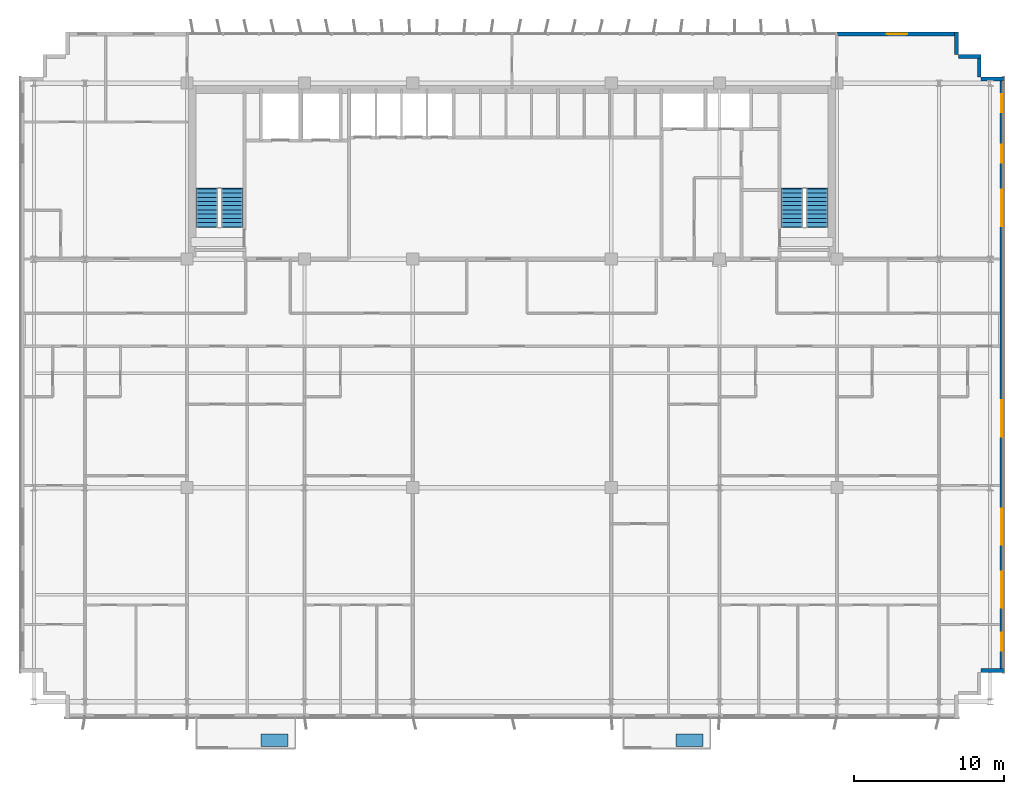
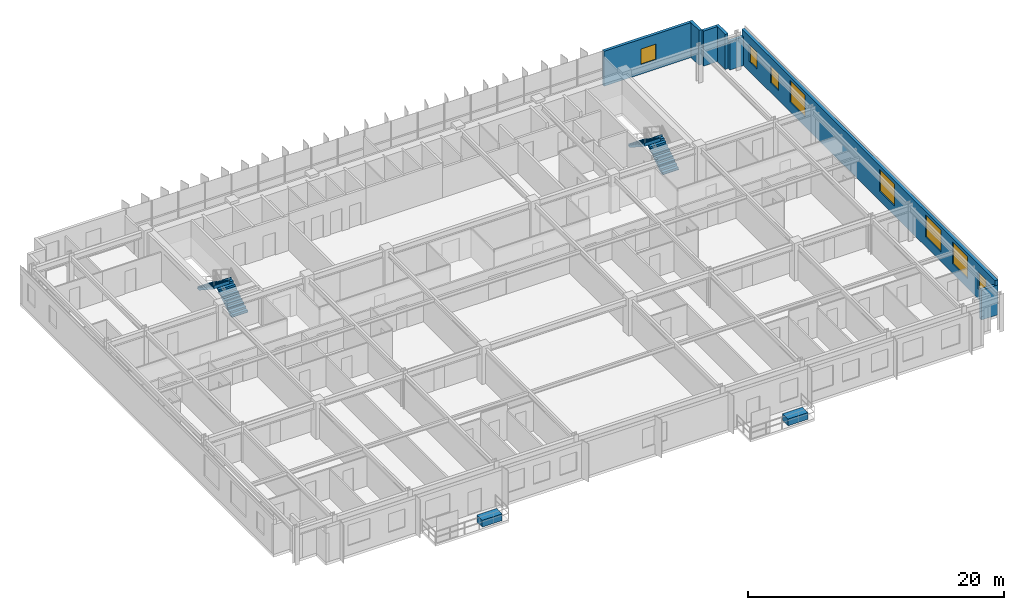
# One storey, part 19 of 22: 8 windows, 7 walls, 4 stair flights, 2 discrete accessories, 8 openings, 2 elements without a shape of their own.
"""IFC4 building model written with IfcOpenShell, lengths in metres."""

from ifc_helpers import new_model, si_unit, direction, frame, frame_2d, origin, origin_2d, place, context, subcontext, project, spatial, polyline, rectangle, outline, extrude, source, transform, mapped, material, layer, layer_set, type_object, element, fill, aggregate, save


model = new_model("IFC4")

# Units and contexts
model_context = context("Model", 3, precision=1e-05, world=origin(), true_north=direction((0.0, 1.0)))
body_context = subcontext(model_context, "Body", "Model", "MODEL_VIEW")
ifc_project = project(units=[si_unit("LENGTHUNIT", "METRE"), si_unit("AREAUNIT", "SQUARE_METRE"), si_unit("VOLUMEUNIT", "CUBIC_METRE"), si_unit("PLANEANGLEUNIT", "RADIAN"), si_unit("MASSUNIT", "GRAM", prefix="KILO")], contexts=[model_context])

# Site, building, storey
site_placement = place(None, origin())
site = spatial("IfcSite", under=ifc_project, at=site_placement, CompositionType="ELEMENT")
building_placement = place(site_placement, origin())
building = spatial("IfcBuilding", under=site, at=building_placement, Name="Trelvane Seafront Commons", CompositionType="ELEMENT")
storey_placement = place(building_placement, frame((0.0, 0.0, 92.5)))
storey = spatial("IfcBuildingStorey", under=building, at=storey_placement, Name="L23", CompositionType="ELEMENT", Elevation=92.5)

# Wall, opening, window
ifc_material_1 = material(Name="Precast concrete C40/50", Category="concrete")
ifc_layer = layer(ifc_material_1, 0.260009765625, Name="ARCH-WALL-EXT260")
ifc_layer_set = layer_set([ifc_layer], Name="Precast concrete C40/50")
wall_type = type_object("IfcWallType", Name="ARCH-WALL-EXT260", PredefinedType="SOLIDWALL", material=ifc_layer_set)
wall_1_placement = place(storey_placement, frame((58.800048828125, 48.3701171875, 0.0), z_axis=(0.0, 0.0, 1.0), x_axis=(1.0, 0.0, 0.0)))
wall_1 = element("IfcWall", 1, at=wall_1_placement, inside=storey, type_object=wall_type, Name="EW-L23-NE-0413", PredefinedType="SOLIDWALL", context=body_context, shape_type="SweptSolid", body=[
    extrude(rectangle(XDim=8.0, YDim=0.260009765625, at=frame_2d((4.0, 0.0))), origin(), (0.0, 0.0, 1.0), 3.340087890625),
])
opening_1_placement = place(wall_1_placement, frame((3.324951171875, 0.0, 0.89990234375)))
opening_1 = element("IfcOpeningElement", 2, at=opening_1_placement, cuts=wall_1, Name="Opening W09", PredefinedType="OPENING", context=body_context, shape_type="SweptSolid", body=[
    extrude(rectangle(XDim=1.35009765625, YDim=1.5, at=frame_2d((0.675048828125, 0.75))), frame((0.0, 0.139892578125, 0.0), z_axis=(0.0, -1.0, 0.0), x_axis=(1.0, 0.0, 0.0)), (0.0, 0.0, 1.0), 0.280029296875),
])
ifc_material_2 = material(Name="Low-E coastal double glazing", Category="glass")
window_type_1 = type_object("IfcWindowType", Name="ARCH-WIN-W09", PartitioningType="SINGLE_PANEL", PredefinedType="WINDOW", material=ifc_material_2)
shared_shape_1 = source(origin(), body_context, "Body", "SweptSolid", [
    extrude(rectangle(XDim=1.35009765625, YDim=1.5, at=frame_2d((0.675048828125, 0.75))), frame((0.0, 0.030029296875, 0.0), z_axis=(0.0, -1.0, 0.0), x_axis=(1.0, 0.0, 0.0)), (0.0, 0.0, 1.0), 0.06005859375),
])
window_1_placement = place(opening_1_placement, origin())
window_1 = element("IfcWindow", 3, at=window_1_placement, inside=storey, type_object=window_type_1, Name="WIN-L23-00478", OverallHeight=1.5, OverallWidth=1.35009765625, PartitioningType="SINGLE_PANEL", PredefinedType="WINDOW", context=body_context, shape_type="MappedRepresentation", body=[
    mapped(shared_shape_1, transform((0.0, 0.0, 0.0), x_axis=(1.0, 0.0, 0.0), y_axis=(0.0, 1.0, 0.0), z_axis=(0.0, 0.0, 1.0), scale=1.0)),
])
fill(opening_1, window_1)

# Walls
for number, where, z_axis, x_axis, name in (
    (4, (66.77001953125, 48.5, 0.0), (0.0, 0.0, 1.0), (0.0, -1.0, 0.0), "EW-L23-00422"),
    (5, (66.89990234375, 46.8701171875, 0.0), (0.0, 0.0, 1.0), (1.0, 0.0, 0.0), "EW-L23-00423"),
    (6, (68.27001953125, 47.0, 0.0), (0.0, 0.0, 1.0), (0.0, -1.0, 0.0), "EW-L23-00424"),
):
    element("IfcWall", number, at=place(storey_placement, frame(where, z_axis=z_axis, x_axis=x_axis)), inside=storey, type_object=wall_type, Name=name, PredefinedType="SOLIDWALL", context=body_context, shape_type="SweptSolid", body=[
        extrude(rectangle(XDim=1.5, YDim=0.260009765625, at=frame_2d((0.75, 0.0))), origin(), (0.0, 0.0, 1.0), 3.340087890625),
    ])
wall_2_placement = place(storey_placement, frame((68.39990234375, 45.3701171875, 0.0), z_axis=(0.0, 0.0, 1.0), x_axis=(1.0, 0.0, 0.0)))
element("IfcWall", 7, at=wall_2_placement, inside=storey, type_object=wall_type, Name="EW-L23-00425", PredefinedType="SOLIDWALL", context=body_context, shape_type="SweptSolid", body=[
    extrude(rectangle(XDim=1.5, YDim=0.260009765625, at=frame_2d((0.75, 0.0))), origin(), (0.0, 0.0, 1.0), 2.751953125),
])

# Wall, openings, windows
wall_3_placement = place(storey_placement, frame((69.77001953125, 45.5, 0.0), z_axis=(0.0, 0.0, 1.0), x_axis=(0.0, -1.0, 0.0)))
wall_3 = element("IfcWall", 8, at=wall_3_placement, inside=storey, type_object=wall_type, Name="EW-L23-00426", PredefinedType="SOLIDWALL", context=body_context, shape_type="SweptSolid", body=[
    extrude(rectangle(XDim=39.60009765625, YDim=0.260009765625, at=frame_2d((19.800048828125, 0.0))), origin(), (0.0, 0.0, 1.0), 3.340087890625),
])
opening_2_placement = place(wall_3_placement, frame((36.949951171875, 0.0, 0.919921875)))
opening_2 = element("IfcOpeningElement", 9, at=opening_2_placement, cuts=wall_3, Name="Opening W05", PredefinedType="OPENING", context=body_context, shape_type="SweptSolid", body=[
    extrude(rectangle(XDim=1.199951171875, YDim=1.64990234375, at=frame_2d((0.60009765625, 0.824951171875))), frame((0.0, 0.139892578125, 0.0), z_axis=(0.0, -1.0, 0.0), x_axis=(1.0, 0.0, 0.0)), (0.0, 0.0, 1.0), 0.280029296875),
])
opening_3_placement = place(wall_3_placement, frame((32.89990234375, 0.0, 0.919921875)))
opening_3 = element("IfcOpeningElement", 10, at=opening_3_placement, cuts=wall_3, Name="Opening W08", PredefinedType="OPENING", context=body_context, shape_type="SweptSolid", body=[
    extrude(rectangle(XDim=2.39990234375, YDim=2.10009765625, at=frame_2d((1.199951171875, 1.050048828125))), frame((0.0, 0.139892578125, 0.0), z_axis=(0.0, -1.0, 0.0), x_axis=(1.0, 0.0, 0.0)), (0.0, 0.0, 1.0), 0.280029296875),
])
opening_4_placement = place(wall_3_placement, frame((28.699951171875, 0.0, 0.919921875)))
opening_4 = element("IfcOpeningElement", 11, at=opening_4_placement, cuts=wall_3, Name="Opening W08", PredefinedType="OPENING", context=body_context, shape_type="SweptSolid", body=[
    extrude(rectangle(XDim=2.39990234375, YDim=2.10009765625, at=frame_2d((1.199951171875, 1.050048828125))), frame((0.0, 0.139892578125, 0.0), z_axis=(0.0, -1.0, 0.0), x_axis=(1.0, 0.0, 0.0)), (0.0, 0.0, 1.0), 0.280029296875),
])
opening_5_placement = place(wall_3_placement, frame((21.5, 0.0, 0.919921875)))
opening_5 = element("IfcOpeningElement", 12, at=opening_5_placement, cuts=wall_3, Name="Opening W08", PredefinedType="OPENING", context=body_context, shape_type="SweptSolid", body=[
    extrude(rectangle(XDim=2.39990234375, YDim=2.10009765625, at=frame_2d((1.199951171875, 1.050048828125))), frame((0.0, 0.139892578125, 0.0), z_axis=(0.0, -1.0, 0.0), x_axis=(1.0, 0.0, 0.0)), (0.0, 0.0, 1.0), 0.280029296875),
])
opening_6_placement = place(wall_3_placement, frame((7.5, 0.0, 0.919921875)))
opening_6 = element("IfcOpeningElement", 13, at=opening_6_placement, cuts=wall_3, Name="Opening W08", PredefinedType="OPENING", context=body_context, shape_type="SweptSolid", body=[
    extrude(rectangle(XDim=2.39990234375, YDim=2.10009765625, at=frame_2d((1.199951171875, 1.050048828125))), frame((0.0, 0.139892578125, 0.0), z_axis=(0.0, -1.0, 0.0), x_axis=(1.0, 0.0, 0.0)), (0.0, 0.0, 1.0), 0.280029296875),
])
opening_7_placement = place(wall_3_placement, frame((4.5, 0.0, 0.919921875)))
opening_7 = element("IfcOpeningElement", 14, at=opening_7_placement, cuts=wall_3, Name="Opening W05", PredefinedType="OPENING", context=body_context, shape_type="SweptSolid", body=[
    extrude(rectangle(XDim=1.199951171875, YDim=1.64990234375, at=frame_2d((0.60009765625, 0.824951171875))), frame((0.0, 0.139892578125, 0.0), z_axis=(0.0, -1.0, 0.0), x_axis=(1.0, 0.0, 0.0)), (0.0, 0.0, 1.0), 0.280029296875),
])
opening_8_placement = place(wall_3_placement, frame((1.14990234375, 0.0, 0.919921875)))
opening_8 = element("IfcOpeningElement", 15, at=opening_8_placement, cuts=wall_3, Name="Opening W05", PredefinedType="OPENING", context=body_context, shape_type="SweptSolid", body=[
    extrude(rectangle(XDim=1.199951171875, YDim=1.64990234375, at=frame_2d((0.60009765625, 0.824951171875))), frame((0.0, 0.139892578125, 0.0), z_axis=(0.0, -1.0, 0.0), x_axis=(1.0, 0.0, 0.0)), (0.0, 0.0, 1.0), 0.280029296875),
])
window_type_2 = type_object("IfcWindowType", Name="ARCH-WIN-W08", PartitioningType="SINGLE_PANEL", PredefinedType="WINDOW", material=ifc_material_2)
shared_shape_2 = source(origin(), body_context, "Body", "SweptSolid", [
    extrude(rectangle(XDim=2.39990234375, YDim=2.10009765625, at=frame_2d((1.199951171875, 1.050048828125))), frame((0.0, 0.030029296875, 0.0), z_axis=(0.0, -1.0, 0.0), x_axis=(1.0, 0.0, 0.0)), (0.0, 0.0, 1.0), 0.06005859375),
])
window_2_placement = place(opening_3_placement, origin())
window_2 = element("IfcWindow", 16, at=window_2_placement, inside=storey, type_object=window_type_2, Name="WIN-L23-EW-00485", OverallHeight=2.10009765625, OverallWidth=2.39990234375, PartitioningType="SINGLE_PANEL", PredefinedType="WINDOW", context=body_context, shape_type="MappedRepresentation", body=[
    mapped(shared_shape_2, transform((0.0, 0.0, 0.0), x_axis=(1.0, 0.0, 0.0), y_axis=(0.0, 1.0, 0.0), z_axis=(0.0, 0.0, 1.0), scale=1.0)),
])
fill(opening_3, window_2)
window_3_placement = place(opening_4_placement, origin())
window_3 = element("IfcWindow", 17, at=window_3_placement, inside=storey, type_object=window_type_2, Name="WIN-L23-EW-00486", OverallHeight=2.10009765625, OverallWidth=2.39990234375, PartitioningType="SINGLE_PANEL", PredefinedType="WINDOW", context=body_context, shape_type="MappedRepresentation", body=[
    mapped(shared_shape_2, transform((0.0, 0.0, 0.0), x_axis=(1.0, 0.0, 0.0), y_axis=(0.0, 1.0, 0.0), z_axis=(0.0, 0.0, 1.0), scale=1.0)),
])
fill(opening_4, window_3)
window_4_placement = place(opening_5_placement, origin())
window_4 = element("IfcWindow", 18, at=window_4_placement, inside=storey, type_object=window_type_2, Name="WIN-L23-EW-00487", OverallHeight=2.10009765625, OverallWidth=2.39990234375, PartitioningType="SINGLE_PANEL", PredefinedType="WINDOW", context=body_context, shape_type="MappedRepresentation", body=[
    mapped(shared_shape_2, transform((0.0, 0.0, 0.0), x_axis=(1.0, 0.0, 0.0), y_axis=(0.0, 1.0, 0.0), z_axis=(0.0, 0.0, 1.0), scale=1.0)),
])
fill(opening_5, window_4)
window_5_placement = place(opening_6_placement, origin())
window_5 = element("IfcWindow", 19, at=window_5_placement, inside=storey, type_object=window_type_2, Name="WIN-L23-EW-00488", OverallHeight=2.10009765625, OverallWidth=2.39990234375, PartitioningType="SINGLE_PANEL", PredefinedType="WINDOW", context=body_context, shape_type="MappedRepresentation", body=[
    mapped(shared_shape_2, transform((0.0, 0.0, 0.0), x_axis=(1.0, 0.0, 0.0), y_axis=(0.0, 1.0, 0.0), z_axis=(0.0, 0.0, 1.0), scale=1.0)),
])
fill(opening_6, window_5)
window_type_3 = type_object("IfcWindowType", Name="ARCH-WIN-W05", PartitioningType="SINGLE_PANEL", PredefinedType="WINDOW", material=ifc_material_2)
shared_shape_3 = source(origin(), body_context, "Body", "SweptSolid", [
    extrude(rectangle(XDim=1.199951171875, YDim=1.64990234375, at=frame_2d((0.60009765625, 0.824951171875))), frame((0.0, 0.030029296875, 0.0), z_axis=(0.0, -1.0, 0.0), x_axis=(1.0, 0.0, 0.0)), (0.0, 0.0, 1.0), 0.06005859375),
])
window_6_placement = place(opening_2_placement, origin())
window_6 = element("IfcWindow", 20, at=window_6_placement, inside=storey, type_object=window_type_3, Name="WIN-L23-EW-00484", OverallHeight=1.64990234375, OverallWidth=1.199951171875, PartitioningType="SINGLE_PANEL", PredefinedType="WINDOW", context=body_context, shape_type="MappedRepresentation", body=[
    mapped(shared_shape_3, transform((0.0, 0.0, 0.0), x_axis=(1.0, 0.0, 0.0), y_axis=(0.0, 1.0, 0.0), z_axis=(0.0, 0.0, 1.0), scale=1.0)),
])
fill(opening_2, window_6)
window_7_placement = place(opening_7_placement, origin())
window_7 = element("IfcWindow", 21, at=window_7_placement, inside=storey, type_object=window_type_3, Name="WIN-L23-EW-00489", OverallHeight=1.64990234375, OverallWidth=1.199951171875, PartitioningType="SINGLE_PANEL", PredefinedType="WINDOW", context=body_context, shape_type="MappedRepresentation", body=[
    mapped(shared_shape_3, transform((0.0, 0.0, 0.0), x_axis=(1.0, 0.0, 0.0), y_axis=(0.0, 1.0, 0.0), z_axis=(0.0, 0.0, 1.0), scale=1.0)),
])
fill(opening_7, window_7)
window_8_placement = place(opening_8_placement, origin())
window_8 = element("IfcWindow", 22, at=window_8_placement, inside=storey, type_object=window_type_3, Name="WIN-L23-EW-00490", OverallHeight=1.64990234375, OverallWidth=1.199951171875, PartitioningType="SINGLE_PANEL", PredefinedType="WINDOW", context=body_context, shape_type="MappedRepresentation", body=[
    mapped(shared_shape_3, transform((0.0, 0.0, 0.0), x_axis=(1.0, 0.0, 0.0), y_axis=(0.0, 1.0, 0.0), z_axis=(0.0, 0.0, 1.0), scale=1.0)),
])
fill(opening_8, window_8)

# Wall
wall_4_placement = place(storey_placement, frame((69.89990234375, 6.030029296875, 0.0), z_axis=(0.0, 0.0, 1.0), x_axis=(-1.0, 0.0, 0.0)))
element("IfcWall", 23, at=wall_4_placement, inside=storey, type_object=wall_type, Name="EW-L23-00427", PredefinedType="SOLIDWALL", context=body_context, shape_type="SweptSolid", body=[
    extrude(rectangle(XDim=1.5, YDim=0.260009765625, at=frame_2d((0.75, 0.0))), origin(), (0.0, 0.0, 1.0), 2.840087890625),
])

# Stair, stair flights
ifc_material_3 = material(Name="Concrete C40/50", Category="concrete")
stair_type_1 = type_object("IfcStairType", Name="ARCH-STR-ST-1-R20-180", PredefinedType="HALF_TURN_STAIR", material=ifc_material_3)
stair_1_placement = place(storey_placement, origin())
stair_1 = element("IfcStair", 24, at=stair_1_placement, inside=storey, type_object=stair_type_1, Name="L23 West Protected Firefighting Exit Stair ST-1", PredefinedType="HALF_TURN_STAIR")
stair_flight_type_1 = type_object("IfcStairFlightType", Name="ARCH-FLG-ST-1-R20-180", PredefinedType="STRAIGHT", material=ifc_material_3)
shared_shape_4 = source(origin(), body_context, "Body", "SweptSolid", [
    extrude(outline(polyline([(-0.050048828125, -0.02001953125), (-0.050048828125, 0.0), (0.0, 0.0), (0.0, 0.179931640625), (0.280029296875, 0.179931640625), (0.280029296875, 0.360107421875), (0.56005859375, 0.360107421875), (0.56005859375, 0.5400390625), (0.840087890625, 0.5400390625), (0.840087890625, 0.719970703125), (1.1201171875, 0.719970703125), (1.1201171875, 0.89990234375), (1.39990234375, 0.89990234375), (1.39990234375, 1.080078125), (1.679931640625, 1.080078125), (1.679931640625, 1.260009765625), (1.9599609375, 1.260009765625), (1.9599609375, 1.43994140625), (2.239990234375, 1.43994140625), (2.239990234375, 1.6201171875), (2.52001953125, 1.6201171875), (2.52001953125, 1.800048828125), (2.570068359375, 1.800048828125), (2.570068359375, 1.650146484375), (2.52001953125, 1.44189453125), (0.277099609375, -0.02001953125), (-0.050048828125, -0.02001953125)])), frame((0.0, 0.72509765625, 0.0), z_axis=(0.0, -1.0, 0.0), x_axis=(1.0, 0.0, 0.0)), (0.0, 0.0, 1.0), 1.449951171875),
])
stair_flight_1_placement = place(storey_placement, frame((18.574951171875, 35.550048828125, 0.0), z_axis=(0.0, 0.0, 1.0), x_axis=(0.0, 1.0, 0.0)))
stair_flight_1 = element("IfcStairFlight", 25, at=stair_flight_1_placement, type_object=stair_flight_type_1, Name="ST-1 flight 1", NumberOfRisers=10, NumberOfTreads=9, PredefinedType="STRAIGHT", RiserHeight=0.18, TreadLength=0.28, context=body_context, shape_type="MappedRepresentation", body=[
    mapped(shared_shape_4, transform((0.0, 0.0, 0.0), x_axis=(1.0, 0.0, 0.0), y_axis=(0.0, 1.0, 0.0), z_axis=(0.0, 0.0, 1.0), scale=1.0)),
])
stair_flight_2_placement = place(storey_placement, frame((16.925048828125, 38.070068359375, 1.800048828125), z_axis=(0.0, 0.0, 1.0), x_axis=(0.0, -1.0, 0.0)))
stair_flight_2 = element("IfcStairFlight", 26, at=stair_flight_2_placement, type_object=stair_flight_type_1, Name="ST-1 flight 2", NumberOfRisers=10, NumberOfTreads=9, PredefinedType="STRAIGHT", RiserHeight=0.18, TreadLength=0.28, context=body_context, shape_type="MappedRepresentation", body=[
    mapped(shared_shape_4, transform((0.0, 0.0, 0.0), x_axis=(1.0, 0.0, 0.0), y_axis=(0.0, 1.0, 0.0), z_axis=(0.0, 0.0, 1.0), scale=1.0)),
])
aggregate(stair_1, [stair_flight_1, stair_flight_2])

stair_type_2 = type_object("IfcStairType", Name="ARCH-STR-ST-2-R20-180", PredefinedType="HALF_TURN_STAIR", material=ifc_material_3)
stair_2_placement = place(storey_placement, origin())
stair_2 = element("IfcStair", 27, at=stair_2_placement, inside=storey, type_object=stair_type_2, Name="L23 East Protected Firefighting Exit Stair ST-2", PredefinedType="HALF_TURN_STAIR")
stair_flight_type_2 = type_object("IfcStairFlightType", Name="ARCH-FLG-ST-2-R20-180", PredefinedType="STRAIGHT", material=ifc_material_3)
stair_flight_3_placement = place(storey_placement, frame((57.47509765625, 35.550048828125, 0.0), z_axis=(0.0, 0.0, 1.0), x_axis=(0.0, 1.0, 0.0)))
stair_flight_3 = element("IfcStairFlight", 28, at=stair_flight_3_placement, type_object=stair_flight_type_2, Name="ST-2 flight 1", NumberOfRisers=10, NumberOfTreads=9, PredefinedType="STRAIGHT", RiserHeight=0.18, TreadLength=0.28, context=body_context, shape_type="MappedRepresentation", body=[
    mapped(shared_shape_4, transform((0.0, 0.0, 0.0), x_axis=(1.0, 0.0, 0.0), y_axis=(0.0, 1.0, 0.0), z_axis=(0.0, 0.0, 1.0), scale=1.0)),
])
stair_flight_4_placement = place(storey_placement, frame((55.824951171875, 38.070068359375, 1.800048828125), z_axis=(0.0, 0.0, 1.0), x_axis=(0.0, -1.0, 0.0)))
stair_flight_4 = element("IfcStairFlight", 29, at=stair_flight_4_placement, type_object=stair_flight_type_2, Name="ST-2 flight 2", NumberOfRisers=10, NumberOfTreads=9, PredefinedType="STRAIGHT", RiserHeight=0.18, TreadLength=0.28, context=body_context, shape_type="MappedRepresentation", body=[
    mapped(shared_shape_4, transform((0.0, 0.0, 0.0), x_axis=(1.0, 0.0, 0.0), y_axis=(0.0, 1.0, 0.0), z_axis=(0.0, 0.0, 1.0), scale=1.0)),
])
aggregate(stair_2, [stair_flight_3, stair_flight_4])

# Discrete accessories
discrete_accessory_type = type_object("IfcDiscreteAccessoryType", Name="ARCH-ACC-PLANTER", PredefinedType="USERDEFINED", material=ifc_material_1)
shared_shape_5 = source(origin(), body_context, "Body", "SweptSolid", [
    extrude(rectangle(XDim=1.800048828125, YDim=0.85009765625, at=origin_2d()), origin(), (0.0, 0.0, 1.0), 0.64990234375),
])
for number, where, z_axis, x_axis, name in (
    (30, (21.39990234375, 1.39990234375, 0.0), (0.0, 0.0, 1.0), (1.0, 0.0, 0.0), "PLN-L23-B0-026"),
    (31, (49.0, 1.39990234375, 0.0), (0.0, 0.0, 1.0), (1.0, 0.0, 0.0), "PLN-L23-B1-027"),
):
    element("IfcDiscreteAccessory", number, at=place(storey_placement, frame(where, z_axis=z_axis, x_axis=x_axis)), inside=storey, type_object=discrete_accessory_type, Name=name, ObjectType="BALCONY TREE PLANTER", PredefinedType="USERDEFINED", context=body_context, shape_type="MappedRepresentation", body=[
        mapped(shared_shape_5, transform((0.0, 0.0, 0.0), x_axis=(1.0, 0.0, 0.0), y_axis=(0.0, 1.0, 0.0), z_axis=(0.0, 0.0, 1.0), scale=1.0)),
    ])

save(model, "model.ifc")
